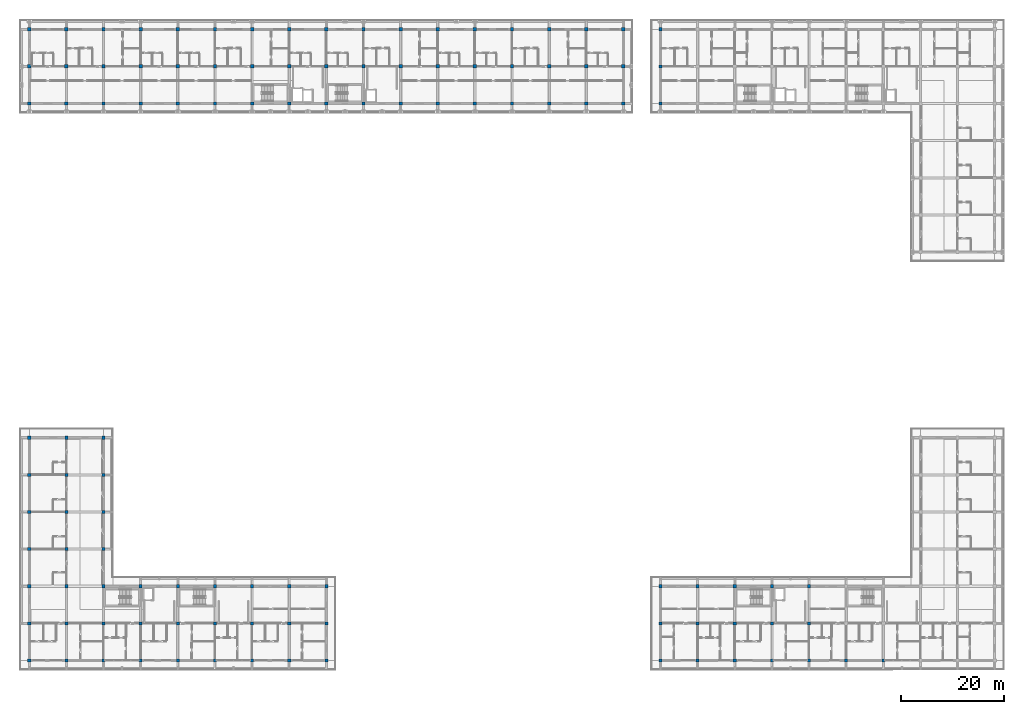
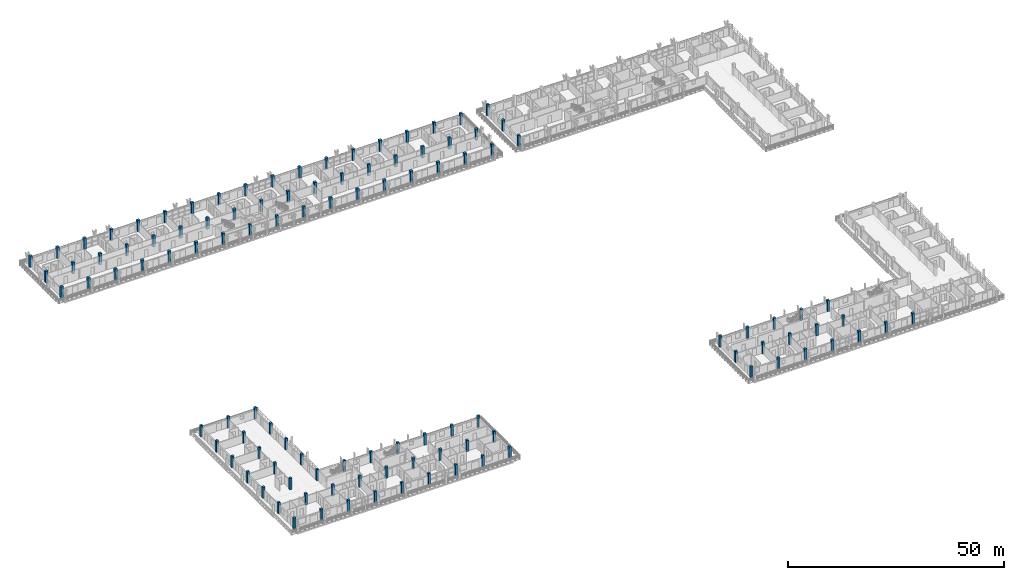
# One storey, part 1 of 76: 110 columns.
"""IFC4 building model written with IfcOpenShell, lengths in metres."""

from ifc_helpers import new_model, si_unit, direction, frame, origin, origin_2d, place, context, subcontext, project, spatial, rectangle, extrude, material, material_profile, profile_set, type_object, element, save


model = new_model("IFC4")

# Units and contexts
model_context = context("Model", 3, precision=1e-05, world=origin(), true_north=direction((0.0, 1.0)))
body_context = subcontext(model_context, "Body", "Model", "MODEL_VIEW")
ifc_project = project(units=[si_unit("LENGTHUNIT", "METRE"), si_unit("AREAUNIT", "SQUARE_METRE"), si_unit("VOLUMEUNIT", "CUBIC_METRE"), si_unit("PLANEANGLEUNIT", "RADIAN"), si_unit("MASSUNIT", "GRAM", prefix="KILO")], contexts=[model_context])

# Site, building, storey
site_placement = place(None, origin())
site = spatial("IfcSite", under=ifc_project, at=site_placement, CompositionType="ELEMENT")
building_placement = place(site_placement, origin())
building = spatial("IfcBuilding", under=site, at=building_placement, Name="Suanplinth Sawtooth Commons", CompositionType="ELEMENT")
storey_placement = place(building_placement, frame((0.0, 0.0, 12.199951171875)))
storey = spatial("IfcBuildingStorey", under=building, at=storey_placement, Name="L03", CompositionType="ELEMENT", Elevation=12.199951171875)

# Columns
ifc_material = material(Name="Precast concrete C40/50", Category="concrete")
ifc_material_profile_1 = material_profile(ifc_material, rectangle(XDim=0.64990234375, YDim=0.64990234375, at=origin_2d()), Name="PC-COL 650x650")
ifc_profile_set_1 = profile_set([ifc_material_profile_1], Name="Precast concrete C40/50")
column_type_1 = type_object("IfcColumnType", Name="C-03", PredefinedType="COLUMN", material=ifc_profile_set_1)
for number, where, z_axis, x_axis, name in (
    (1, (0.0, 108.0, 0.0), (0.0, 0.0, 1.0), (1.0, 0.0, 0.0), "Column L03 1/R"),
    (2, (0.0, 115.199951171875, 0.0), (0.0, 0.0, 1.0), (1.0, 0.0, 0.0), "Column L03 1/S"),
    (3, (0.0, 122.39990234375, 0.0), (0.0, 0.0, 1.0), (1.0, 0.0, 0.0), "Column L03 1/T"),
    (4, (7.199951171875, 108.0, 0.0), (0.0, 0.0, 1.0), (1.0, 0.0, 0.0), "Column L03 2/R"),
    (5, (7.199951171875, 115.199951171875, 0.0), (0.0, 0.0, 1.0), (1.0, 0.0, 0.0), "Column L03 2/S"),
    (6, (7.199951171875, 122.39990234375, 0.0), (0.0, 0.0, 1.0), (1.0, 0.0, 0.0), "Column L03 2/T"),
    (7, (14.39990234375, 108.0, 0.0), (0.0, 0.0, 1.0), (1.0, 0.0, 0.0), "Column L03 3/R"),
    (8, (14.39990234375, 115.199951171875, 0.0), (0.0, 0.0, 1.0), (1.0, 0.0, 0.0), "Column L03 3/S"),
    (9, (14.39990234375, 122.39990234375, 0.0), (0.0, 0.0, 1.0), (1.0, 0.0, 0.0), "Column L03 3/T"),
    (10, (21.60009765625, 108.0, 0.0), (0.0, 0.0, 1.0), (1.0, 0.0, 0.0), "Column L03 4/R"),
    (11, (21.60009765625, 115.199951171875, 0.0), (0.0, 0.0, 1.0), (1.0, 0.0, 0.0), "Column L03 4/S"),
    (12, (21.60009765625, 122.39990234375, 0.0), (0.0, 0.0, 1.0), (1.0, 0.0, 0.0), "Column L03 4/T"),
    (13, (28.800048828125, 108.0, 0.0), (0.0, 0.0, 1.0), (1.0, 0.0, 0.0), "Column L03 5/R"),
    (14, (28.800048828125, 115.199951171875, 0.0), (0.0, 0.0, 1.0), (1.0, 0.0, 0.0), "Column L03 5/S"),
    (15, (28.800048828125, 122.39990234375, 0.0), (0.0, 0.0, 1.0), (1.0, 0.0, 0.0), "Column L03 5/T"),
    (16, (36.0, 108.0, 0.0), (0.0, 0.0, 1.0), (1.0, 0.0, 0.0), "Column L03 6/R"),
    (17, (36.0, 115.199951171875, 0.0), (0.0, 0.0, 1.0), (1.0, 0.0, 0.0), "Column L03 6/S"),
    (18, (36.0, 122.39990234375, 0.0), (0.0, 0.0, 1.0), (1.0, 0.0, 0.0), "Column L03 6/T"),
    (19, (43.199951171875, 108.0, 0.0), (0.0, 0.0, 1.0), (1.0, 0.0, 0.0), "Column L03 7/R"),
    (20, (43.199951171875, 115.199951171875, 0.0), (0.0, 0.0, 1.0), (1.0, 0.0, 0.0), "Column L03 7/S"),
    (21, (43.199951171875, 122.39990234375, 0.0), (0.0, 0.0, 1.0), (1.0, 0.0, 0.0), "Column L03 7/T"),
    (22, (50.39990234375, 108.0, 0.0), (0.0, 0.0, 1.0), (1.0, 0.0, 0.0), "Column L03 8/R"),
    (23, (50.39990234375, 115.199951171875, 0.0), (0.0, 0.0, 1.0), (1.0, 0.0, 0.0), "Column L03 8/S"),
    (24, (50.39990234375, 122.39990234375, 0.0), (0.0, 0.0, 1.0), (1.0, 0.0, 0.0), "Column L03 8/T"),
    (25, (57.60009765625, 108.0, 0.0), (0.0, 0.0, 1.0), (1.0, 0.0, 0.0), "Column L03 9/R"),
    (26, (57.60009765625, 115.199951171875, 0.0), (0.0, 0.0, 1.0), (1.0, 0.0, 0.0), "Column L03 9/S"),
    (27, (57.60009765625, 122.39990234375, 0.0), (0.0, 0.0, 1.0), (1.0, 0.0, 0.0), "Column L03 9/T"),
    (28, (64.800048828125, 108.0, 0.0), (0.0, 0.0, 1.0), (1.0, 0.0, 0.0), "Column L03 10/R"),
    (29, (64.800048828125, 115.199951171875, 0.0), (0.0, 0.0, 1.0), (1.0, 0.0, 0.0), "Column L03 10/S"),
    (30, (64.800048828125, 122.39990234375, 0.0), (0.0, 0.0, 1.0), (1.0, 0.0, 0.0), "Column L03 10/T"),
    (31, (72.0, 108.0, 0.0), (0.0, 0.0, 1.0), (1.0, 0.0, 0.0), "Column L03 11/R"),
    (32, (72.0, 115.199951171875, 0.0), (0.0, 0.0, 1.0), (1.0, 0.0, 0.0), "Column L03 11/S"),
    (33, (72.0, 122.39990234375, 0.0), (0.0, 0.0, 1.0), (1.0, 0.0, 0.0), "Column L03 11/T"),
    (34, (79.199951171875, 108.0, 0.0), (0.0, 0.0, 1.0), (1.0, 0.0, 0.0), "Column L03 12/R"),
    (35, (79.199951171875, 115.199951171875, 0.0), (0.0, 0.0, 1.0), (1.0, 0.0, 0.0), "Column L03 12/S"),
    (36, (79.199951171875, 122.39990234375, 0.0), (0.0, 0.0, 1.0), (1.0, 0.0, 0.0), "Column L03 12/T"),
    (37, (86.39990234375, 108.0, 0.0), (0.0, 0.0, 1.0), (1.0, 0.0, 0.0), "Column L03 13/R"),
    (38, (86.39990234375, 115.199951171875, 0.0), (0.0, 0.0, 1.0), (1.0, 0.0, 0.0), "Column L03 13/S"),
    (39, (86.39990234375, 122.39990234375, 0.0), (0.0, 0.0, 1.0), (1.0, 0.0, 0.0), "Column L03 13/T"),
    (40, (93.60009765625, 108.0, 0.0), (0.0, 0.0, 1.0), (1.0, 0.0, 0.0), "Column L03 14/R"),
    (41, (93.60009765625, 115.199951171875, 0.0), (0.0, 0.0, 1.0), (1.0, 0.0, 0.0), "Column L03 14/S"),
    (42, (93.60009765625, 122.39990234375, 0.0), (0.0, 0.0, 1.0), (1.0, 0.0, 0.0), "Column L03 14/T"),
    (43, (100.800048828125, 108.0, 0.0), (0.0, 0.0, 1.0), (1.0, 0.0, 0.0), "Column L03 15/R"),
    (44, (100.800048828125, 115.199951171875, 0.0), (0.0, 0.0, 1.0), (1.0, 0.0, 0.0), "Column L03 15/S"),
    (45, (100.800048828125, 122.39990234375, 0.0), (0.0, 0.0, 1.0), (1.0, 0.0, 0.0), "Column L03 15/T"),
    (46, (108.0, 108.0, 0.0), (0.0, 0.0, 1.0), (1.0, 0.0, 0.0), "Column L03 16/R"),
    (47, (108.0, 115.199951171875, 0.0), (0.0, 0.0, 1.0), (1.0, 0.0, 0.0), "Column L03 16/S"),
    (48, (108.0, 122.39990234375, 0.0), (0.0, 0.0, 1.0), (1.0, 0.0, 0.0), "Column L03 16/T"),
    (49, (115.199951171875, 108.0, 0.0), (0.0, 0.0, 1.0), (1.0, 0.0, 0.0), "Column L03 17/R"),
    (50, (115.199951171875, 115.199951171875, 0.0), (0.0, 0.0, 1.0), (1.0, 0.0, 0.0), "Column L03 17/S"),
    (51, (115.199951171875, 122.39990234375, 0.0), (0.0, 0.0, 1.0), (1.0, 0.0, 0.0), "Column L03 17/T"),
):
    element("IfcColumn", number, at=place(storey_placement, frame(where, z_axis=z_axis, x_axis=x_axis)), inside=storey, type_object=column_type_1, Name=name, PredefinedType="COLUMN", context=body_context, shape_type="SweptSolid", body=[
        extrude(rectangle(XDim=0.64990234375, YDim=0.64990234375, at=origin_2d()), origin(), (0.0, 0.0, 1.0), 3.199951171875),
    ])
ifc_material_profile_2 = material_profile(ifc_material, rectangle(XDim=0.60009765625, YDim=0.60009765625, at=origin_2d()), Name="PC-COL 600x600")
ifc_profile_set_2 = profile_set([ifc_material_profile_2], Name="Precast concrete C40/50")
column_type_2 = type_object("IfcColumnType", Name="C-04", PredefinedType="COLUMN", material=ifc_profile_set_2)
for number, where, z_axis, x_axis, name in (
    (52, (0.0, 0.0, 0.0), (0.0, 0.0, 1.0), (1.0, 0.0, 0.0), "Column L03 1/A"),
    (53, (0.0, 7.199951171875, 0.0), (0.0, 0.0, 1.0), (1.0, 0.0, 0.0), "Column L03 1/B"),
    (54, (0.0, 14.39990234375, 0.0), (0.0, 0.0, 1.0), (1.0, 0.0, 0.0), "Column L03 1/C"),
    (55, (0.0, 21.60009765625, 0.0), (0.0, 0.0, 1.0), (1.0, 0.0, 0.0), "Column L03 1/D"),
    (56, (0.0, 28.800048828125, 0.0), (0.0, 0.0, 1.0), (1.0, 0.0, 0.0), "Column L03 1/E"),
    (57, (0.0, 36.0, 0.0), (0.0, 0.0, 1.0), (1.0, 0.0, 0.0), "Column L03 1/F"),
    (58, (0.0, 43.199951171875, 0.0), (0.0, 0.0, 1.0), (1.0, 0.0, 0.0), "Column L03 1/G"),
    (59, (7.199951171875, 0.0, 0.0), (0.0, 0.0, 1.0), (1.0, 0.0, 0.0), "Column L03 2/A"),
    (60, (7.199951171875, 7.199951171875, 0.0), (0.0, 0.0, 1.0), (1.0, 0.0, 0.0), "Column L03 2/B"),
    (61, (7.199951171875, 14.39990234375, 0.0), (0.0, 0.0, 1.0), (1.0, 0.0, 0.0), "Column L03 2/C"),
    (62, (7.199951171875, 21.60009765625, 0.0), (0.0, 0.0, 1.0), (1.0, 0.0, 0.0), "Column L03 2/D"),
    (63, (7.199951171875, 28.800048828125, 0.0), (0.0, 0.0, 1.0), (1.0, 0.0, 0.0), "Column L03 2/E"),
    (64, (7.199951171875, 36.0, 0.0), (0.0, 0.0, 1.0), (1.0, 0.0, 0.0), "Column L03 2/F"),
    (65, (7.199951171875, 43.199951171875, 0.0), (0.0, 0.0, 1.0), (1.0, 0.0, 0.0), "Column L03 2/G"),
    (66, (14.39990234375, 0.0, 0.0), (0.0, 0.0, 1.0), (1.0, 0.0, 0.0), "Column L03 3/A"),
    (67, (14.39990234375, 7.199951171875, 0.0), (0.0, 0.0, 1.0), (1.0, 0.0, 0.0), "Column L03 3/B"),
    (68, (14.39990234375, 14.39990234375, 0.0), (0.0, 0.0, 1.0), (1.0, 0.0, 0.0), "Column L03 3/C"),
    (69, (14.39990234375, 21.60009765625, 0.0), (0.0, 0.0, 1.0), (1.0, 0.0, 0.0), "Column L03 3/D"),
    (70, (14.39990234375, 28.800048828125, 0.0), (0.0, 0.0, 1.0), (1.0, 0.0, 0.0), "Column L03 3/E"),
    (71, (14.39990234375, 36.0, 0.0), (0.0, 0.0, 1.0), (1.0, 0.0, 0.0), "Column L03 3/F"),
    (72, (14.39990234375, 43.199951171875, 0.0), (0.0, 0.0, 1.0), (1.0, 0.0, 0.0), "Column L03 3/G"),
    (73, (21.60009765625, 0.0, 0.0), (0.0, 0.0, 1.0), (1.0, 0.0, 0.0), "Column L03 4/A"),
    (74, (21.60009765625, 7.199951171875, 0.0), (0.0, 0.0, 1.0), (1.0, 0.0, 0.0), "Column L03 4/B"),
    (75, (21.60009765625, 14.39990234375, 0.0), (0.0, 0.0, 1.0), (1.0, 0.0, 0.0), "Column L03 4/C"),
    (76, (28.800048828125, 0.0, 0.0), (0.0, 0.0, 1.0), (1.0, 0.0, 0.0), "Column L03 5/A"),
    (77, (28.800048828125, 7.199951171875, 0.0), (0.0, 0.0, 1.0), (1.0, 0.0, 0.0), "Column L03 5/B"),
    (78, (28.800048828125, 14.39990234375, 0.0), (0.0, 0.0, 1.0), (1.0, 0.0, 0.0), "Column L03 5/C"),
    (79, (36.0, 0.0, 0.0), (0.0, 0.0, 1.0), (1.0, 0.0, 0.0), "Column L03 6/A"),
    (80, (36.0, 7.199951171875, 0.0), (0.0, 0.0, 1.0), (1.0, 0.0, 0.0), "Column L03 6/B"),
    (81, (36.0, 14.39990234375, 0.0), (0.0, 0.0, 1.0), (1.0, 0.0, 0.0), "Column L03 6/C"),
    (82, (43.199951171875, 0.0, 0.0), (0.0, 0.0, 1.0), (1.0, 0.0, 0.0), "Column L03 7/A"),
    (83, (43.199951171875, 7.199951171875, 0.0), (0.0, 0.0, 1.0), (1.0, 0.0, 0.0), "Column L03 7/B"),
    (84, (43.199951171875, 14.39990234375, 0.0), (0.0, 0.0, 1.0), (1.0, 0.0, 0.0), "Column L03 7/C"),
    (85, (50.39990234375, 0.0, 0.0), (0.0, 0.0, 1.0), (1.0, 0.0, 0.0), "Column L03 8/A"),
    (86, (50.39990234375, 7.199951171875, 0.0), (0.0, 0.0, 1.0), (1.0, 0.0, 0.0), "Column L03 8/B"),
    (87, (50.39990234375, 14.39990234375, 0.0), (0.0, 0.0, 1.0), (1.0, 0.0, 0.0), "Column L03 8/C"),
    (88, (57.60009765625, 0.0, 0.0), (0.0, 0.0, 1.0), (1.0, 0.0, 0.0), "Column L03 9/A"),
    (89, (57.60009765625, 7.199951171875, 0.0), (0.0, 0.0, 1.0), (1.0, 0.0, 0.0), "Column L03 9/B"),
    (90, (57.60009765625, 14.39990234375, 0.0), (0.0, 0.0, 1.0), (1.0, 0.0, 0.0), "Column L03 9/C"),
    (91, (122.39990234375, 0.0, 0.0), (0.0, 0.0, 1.0), (1.0, 0.0, 0.0), "Column L03 18/A"),
    (92, (122.39990234375, 7.199951171875, 0.0), (0.0, 0.0, 1.0), (1.0, 0.0, 0.0), "Column L03 18/B"),
    (93, (122.39990234375, 14.39990234375, 0.0), (0.0, 0.0, 1.0), (1.0, 0.0, 0.0), "Column L03 18/C"),
    (94, (122.39990234375, 108.0, 0.0), (0.0, 0.0, 1.0), (1.0, 0.0, 0.0), "Column L03 18/R"),
    (95, (122.39990234375, 115.199951171875, 0.0), (0.0, 0.0, 1.0), (1.0, 0.0, 0.0), "Column L03 18/S"),
    (96, (122.39990234375, 122.39990234375, 0.0), (0.0, 0.0, 1.0), (1.0, 0.0, 0.0), "Column L03 18/T"),
    (97, (129.60009765625, 0.0, 0.0), (0.0, 0.0, 1.0), (1.0, 0.0, 0.0), "Column L03 19/A"),
    (98, (129.60009765625, 7.199951171875, 0.0), (0.0, 0.0, 1.0), (1.0, 0.0, 0.0), "Column L03 19/B"),
    (99, (129.60009765625, 14.39990234375, 0.0), (0.0, 0.0, 1.0), (1.0, 0.0, 0.0), "Column L03 19/C"),
    (100, (136.800048828125, 0.0, 0.0), (0.0, 0.0, 1.0), (1.0, 0.0, 0.0), "Column L03 20/A"),
    (101, (136.800048828125, 7.199951171875, 0.0), (0.0, 0.0, 1.0), (1.0, 0.0, 0.0), "Column L03 20/B"),
    (102, (136.800048828125, 14.39990234375, 0.0), (0.0, 0.0, 1.0), (1.0, 0.0, 0.0), "Column L03 20/C"),
    (103, (144.0, 0.0, 0.0), (0.0, 0.0, 1.0), (1.0, 0.0, 0.0), "Column L03 21/A"),
    (104, (144.0, 7.199951171875, 0.0), (0.0, 0.0, 1.0), (1.0, 0.0, 0.0), "Column L03 21/B"),
    (105, (144.0, 14.39990234375, 0.0), (0.0, 0.0, 1.0), (1.0, 0.0, 0.0), "Column L03 21/C"),
    (106, (151.199951171875, 0.0, 0.0), (0.0, 0.0, 1.0), (1.0, 0.0, 0.0), "Column L03 22/A"),
    (107, (151.199951171875, 7.199951171875, 0.0), (0.0, 0.0, 1.0), (1.0, 0.0, 0.0), "Column L03 22/B"),
    (108, (151.199951171875, 14.39990234375, 0.0), (0.0, 0.0, 1.0), (1.0, 0.0, 0.0), "Column L03 22/C"),
    (109, (158.39990234375, 0.0, 0.0), (0.0, 0.0, 1.0), (1.0, 0.0, 0.0), "Column L03 23/A"),
    (110, (165.60009765625, 0.0, 0.0), (0.0, 0.0, 1.0), (1.0, 0.0, 0.0), "Column L03 24/A"),
):
    element("IfcColumn", number, at=place(storey_placement, frame(where, z_axis=z_axis, x_axis=x_axis)), inside=storey, type_object=column_type_2, Name=name, PredefinedType="COLUMN", context=body_context, shape_type="SweptSolid", body=[
        extrude(rectangle(XDim=0.60009765625, YDim=0.60009765625, at=origin_2d()), origin(), (0.0, 0.0, 1.0), 3.199951171875),
    ])

save(model, "model.ifc")
